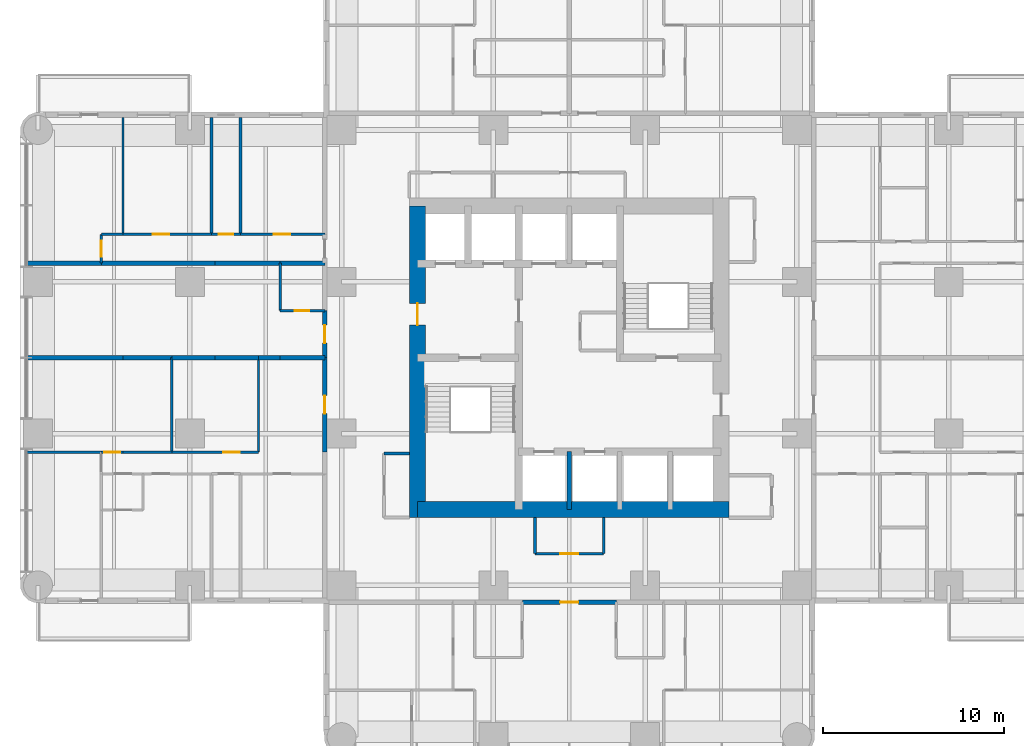
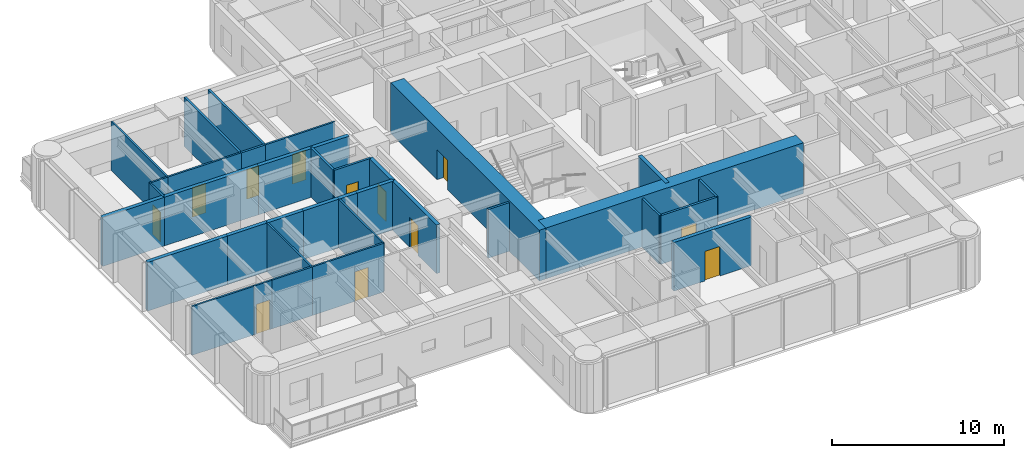
# One storey, part 7 of 15: 36 walls, 12 doors, 12 openings.
"""IFC4 building model written with IfcOpenShell, lengths in metres."""

from ifc_helpers import new_model, si_unit, direction, frame, frame_2d, origin, place, context, subcontext, project, spatial, rectangle, extrude, material, layer, layer_set, type_object, element, fill, save


model = new_model("IFC4")

# Units and contexts
model_context = context("Model", 3, precision=1e-05, world=origin(), true_north=direction((0.0, 1.0)))
body_context = subcontext(model_context, "Body", "Model", "MODEL_VIEW")
ifc_project = project(units=[si_unit("LENGTHUNIT", "METRE"), si_unit("AREAUNIT", "SQUARE_METRE"), si_unit("VOLUMEUNIT", "CUBIC_METRE"), si_unit("PLANEANGLEUNIT", "RADIAN"), si_unit("MASSUNIT", "GRAM", prefix="KILO")], contexts=[model_context])

# Site, building, storey
site_placement = place(None, origin())
site = spatial("IfcSite", under=ifc_project, at=site_placement, CompositionType="ELEMENT")
building_placement = place(site_placement, origin())
building = spatial("IfcBuilding", under=site, at=building_placement, Name="Torre Alcanfor", CompositionType="ELEMENT")
storey_placement = place(building_placement, frame((0.0, 0.0, 123.300048828125)))
storey = spatial("IfcBuildingStorey", under=building, at=storey_placement, Name="L31", CompositionType="ELEMENT", Elevation=123.300048828125)

# Wall, opening, door
ifc_material_1 = material(Name="Concrete block masonry, hollow blocks NMX-C-404 9 MPa", Category="masonry")
ifc_layer_1 = layer(ifc_material_1, 0.25)
ifc_layer_set_1 = layer_set([ifc_layer_1], Name="Apartment entrance wall 250 EI 60")
wall_type_1 = type_object("IfcWallType", Name="Apartment entrance wall 250 EI 60", PredefinedType="PARTITIONING", material=ifc_layer_set_1)
wall_1_placement = place(storey_placement, frame((32.0, 15.875, 0.0), z_axis=(0.0, 0.0, 1.0), x_axis=(-1.0, 0.0, 0.0)))
wall_1 = element("IfcWall", 1, at=wall_1_placement, inside=storey, type_object=wall_type_1, Name="Partition L31-CORR / L31-SX-ZAG", PredefinedType="PARTITIONING", context=body_context, shape_type="SweptSolid", body=[
    extrude(rectangle(XDim=5.199951171875, YDim=0.25, at=frame_2d((2.60009765625, 0.0))), origin(), (0.0, 0.0, 1.0), 3.449951171875),
])
opening_1_placement = place(wall_1_placement, frame((2.10009765625, 0.0, 0.0)))
opening_1 = element("IfcOpeningElement", 2, at=opening_1_placement, cuts=wall_1, Name="Opening D-A1", PredefinedType="OPENING", context=body_context, shape_type="SweptSolid", body=[
    extrude(rectangle(XDim=1.0, YDim=2.10009765625, at=frame_2d((0.5, 1.050048828125))), frame((0.0, 0.135009765625, 0.0), z_axis=(0.0, -1.0, 0.0), x_axis=(1.0, 0.0, 0.0)), (0.0, 0.0, 1.0), 0.27001953125),
])
ifc_material_2 = material(Name="Galvanised steel sheet ASTM A653", Category="steel")
door_type_1 = type_object("IfcDoorType", Name="Apartment entrance door FD60 1000x2100", OperationType="SINGLE_SWING_LEFT", PredefinedType="DOOR", material=ifc_material_2)
door_1_placement = place(opening_1_placement, origin())
door_1 = element("IfcDoor", 3, at=door_1_placement, inside=storey, type_object=door_type_1, Name="Apartment entrance L31-SX", OperationType="SINGLE_SWING_LEFT", OverallHeight=2.10009765625, OverallWidth=1.0, PredefinedType="DOOR", context=body_context, shape_type="SweptSolid", body=[
    extrude(rectangle(XDim=1.0, YDim=2.10009765625, at=frame_2d((0.5, 1.050048828125))), frame((0.0, 0.02490234375, 0.0), z_axis=(0.0, -1.0, 0.0), x_axis=(1.0, 0.0, 0.0)), (0.0, 0.0, 1.0), 0.050048828125),
])
fill(opening_1, door_1)

wall_2_placement = place(storey_placement, frame((15.875, 24.1708984375, 0.0), z_axis=(0.0, 0.0, 1.0), x_axis=(0.0, 1.0, 0.0)))
wall_2 = element("IfcWall", 4, at=wall_2_placement, inside=storey, type_object=wall_type_1, Name="Partition L31-CORR / L31-W1-ZAG", PredefinedType="PARTITIONING", context=body_context, shape_type="SweptSolid", body=[
    extrude(rectangle(XDim=5.22900390625, YDim=0.25, at=frame_2d((2.614501953125, 0.0))), origin(), (0.0, 0.0, 1.0), 3.449951171875),
])
opening_2_placement = place(wall_2_placement, frame((2.12890625, 0.0, 0.0)))
opening_2 = element("IfcOpeningElement", 5, at=opening_2_placement, cuts=wall_2, Name="Opening D-A1", PredefinedType="OPENING", context=body_context, shape_type="SweptSolid", body=[
    extrude(rectangle(XDim=1.0, YDim=2.10009765625, at=frame_2d((0.5, 1.050048828125))), frame((0.0, 0.135009765625, 0.0), z_axis=(0.0, -1.0, 0.0), x_axis=(1.0, 0.0, 0.0)), (0.0, 0.0, 1.0), 0.27001953125),
])
door_2_placement = place(opening_2_placement, origin())
door_2 = element("IfcDoor", 6, at=door_2_placement, inside=storey, type_object=door_type_1, Name="Apartment entrance L31-W1", OperationType="SINGLE_SWING_RIGHT", OverallHeight=2.10009765625, OverallWidth=1.0, PredefinedType="DOOR", context=body_context, shape_type="SweptSolid", body=[
    extrude(rectangle(XDim=1.0, YDim=2.10009765625, at=frame_2d((0.5, 1.050048828125))), frame((0.0, 0.02490234375, 0.0), z_axis=(0.0, -1.0, 0.0), x_axis=(1.0, 0.0, 0.0)), (0.0, 0.0, 1.0), 0.050048828125),
])
fill(opening_2, door_2)

wall_3_placement = place(storey_placement, frame((15.875, 29.39990234375, 0.0), z_axis=(0.0, 0.0, 1.0), x_axis=(0.0, 1.0, 0.0)))
wall_3 = element("IfcWall", 7, at=wall_3_placement, inside=storey, type_object=wall_type_1, Name="Partition L31-CORR / L31-W2A-FOYER", PredefinedType="PARTITIONING", context=body_context, shape_type="SweptSolid", body=[
    extrude(rectangle(XDim=2.60009765625, YDim=0.25, at=frame_2d((1.300048828125, 0.0))), origin(), (0.0, 0.0, 1.0), 3.449951171875),
])
opening_3_placement = place(wall_3_placement, frame((0.800048828125, 0.0, 0.0)))
opening_3 = element("IfcOpeningElement", 8, at=opening_3_placement, cuts=wall_3, Name="Opening D-A1", PredefinedType="OPENING", context=body_context, shape_type="SweptSolid", body=[
    extrude(rectangle(XDim=1.0, YDim=2.10009765625, at=frame_2d((0.5, 1.050048828125))), frame((0.0, 0.135009765625, 0.0), z_axis=(0.0, -1.0, 0.0), x_axis=(1.0, 0.0, 0.0)), (0.0, 0.0, 1.0), 0.27001953125),
])
door_3_placement = place(opening_3_placement, origin())
door_3 = element("IfcDoor", 9, at=door_3_placement, inside=storey, type_object=door_type_1, Name="Apartment entrance L31-W2A", OperationType="SINGLE_SWING_LEFT", OverallHeight=2.10009765625, OverallWidth=1.0, PredefinedType="DOOR", context=body_context, shape_type="SweptSolid", body=[
    extrude(rectangle(XDim=1.0, YDim=2.10009765625, at=frame_2d((0.5, 1.050048828125))), frame((0.0, 0.02490234375, 0.0), z_axis=(0.0, -1.0, 0.0), x_axis=(1.0, 0.0, 0.0)), (0.0, 0.0, 1.0), 0.050048828125),
])
fill(opening_3, door_3)

# Walls
ifc_material_3 = material(Name="Gypsum board on steel studs", Category="steel")
ifc_layer_2 = layer(ifc_material_3, 0.1201171875)
ifc_layer_set_2 = layer_set([ifc_layer_2], Name="Apartment partition 120")
wall_type_2 = type_object("IfcWallType", Name="Apartment partition 120", PredefinedType="PARTITIONING", material=ifc_layer_set_2)
for number, where, z_axis, x_axis, name in (
    (10, (12.199951171875, 29.39990234375, 0.0), (0.0, 0.0, 1.0), (0.0, -1.0, 0.0), "Partition L31-W1-ZAG / L31-W1-FAMILY"),
    (11, (7.39990234375, 29.39990234375, 0.0), (0.0, 0.0, 1.0), (0.0, -1.0, 0.0), "Partition L31-W1-FAMILY / L31-W1-KITCHEN"),
):
    element("IfcWall", number, at=place(storey_placement, frame(where, z_axis=z_axis, x_axis=x_axis)), inside=storey, type_object=wall_type_2, Name=name, PredefinedType="PARTITIONING", context=body_context, shape_type="SweptSolid", body=[
        extrude(rectangle(XDim=5.22900390625, YDim=0.1201171875, at=frame_2d((2.614501953125, 0.0))), origin(), (0.0, 0.0, 1.0), 3.449951171875),
    ])

# Wall, opening, door
wall_4_placement = place(storey_placement, frame((7.39990234375, 24.1708984375, 0.0), z_axis=(0.0, 0.0, 1.0), x_axis=(1.0, 0.0, 0.0)))
wall_4 = element("IfcWall", 12, at=wall_4_placement, inside=storey, type_object=wall_type_2, Name="Partition L31-W1-FAMILY / L31-W1-HALL", PredefinedType="PARTITIONING", context=body_context, shape_type="SweptSolid", body=[
    extrude(rectangle(XDim=4.800048828125, YDim=0.1201171875, at=frame_2d((2.39990234375, 0.0))), origin(), (0.0, 0.0, 1.0), 3.449951171875),
])
opening_4_placement = place(wall_4_placement, frame((2.85009765625, 0.0, 0.0)))
opening_4 = element("IfcOpeningElement", 13, at=opening_4_placement, cuts=wall_4, Name="Opening D-R1", PredefinedType="OPENING", context=body_context, shape_type="SweptSolid", body=[
    extrude(rectangle(XDim=0.89990234375, YDim=2.10009765625, at=frame_2d((0.449951171875, 1.050048828125))), frame((0.0, 0.070068359375, 0.0), z_axis=(0.0, -1.0, 0.0), x_axis=(1.0, 0.0, 0.0)), (0.0, 0.0, 1.0), 0.14013671875),
])
ifc_material_4 = material(Name="Timber", Category="wood")
door_type_2 = type_object("IfcDoorType", Name="Internal door 900x2100", OperationType="SINGLE_SWING_LEFT", PredefinedType="DOOR", material=ifc_material_4)
door_4_placement = place(opening_4_placement, origin())
door_4 = element("IfcDoor", 14, at=door_4_placement, inside=storey, type_object=door_type_2, Name="Door L31-W1 family", OperationType="SINGLE_SWING_RIGHT", OverallHeight=2.10009765625, OverallWidth=0.89990234375, PredefinedType="DOOR", context=body_context, shape_type="SweptSolid", body=[
    extrude(rectangle(XDim=0.89990234375, YDim=2.10009765625, at=frame_2d((0.449951171875, 1.050048828125))), frame((0.0, 0.02490234375, 0.0), z_axis=(0.0, -1.0, 0.0), x_axis=(1.0, 0.0, 0.0)), (0.0, 0.0, 1.0), 0.050048828125),
])
fill(opening_4, door_4)

# Wall
wall_5_placement = place(storey_placement, frame((4.699951171875, 24.1708984375, 0.0), z_axis=(0.0, 0.0, 1.0), x_axis=(1.0, 0.0, 0.0)))
element("IfcWall", 15, at=wall_5_placement, inside=storey, type_object=wall_type_2, Name="Partition L31-W1-KITCHEN / L31-W1-HALL", PredefinedType="PARTITIONING", context=body_context, shape_type="SweptSolid", body=[
    extrude(rectangle(XDim=2.699951171875, YDim=0.1201171875, at=frame_2d((1.35009765625, 0.0))), origin(), (0.0, 0.0, 1.0), 3.449951171875),
])

# Wall, opening, door
wall_6_placement = place(storey_placement, frame((3.5, 24.1708984375, 0.0), z_axis=(0.0, 0.0, 1.0), x_axis=(1.0, 0.0, 0.0)))
wall_6 = element("IfcWall", 16, at=wall_6_placement, inside=storey, type_object=wall_type_2, Name="Partition L31-W1-LIVING / L31-W1-HALL", PredefinedType="PARTITIONING", context=body_context, shape_type="SweptSolid", body=[
    extrude(rectangle(XDim=1.199951171875, YDim=0.1201171875, at=frame_2d((0.60009765625, 0.0))), origin(), (0.0, 0.0, 1.0), 3.449951171875),
])
opening_5_placement = place(wall_6_placement, frame((0.14990234375, 0.0, 0.0)))
opening_5 = element("IfcOpeningElement", 17, at=opening_5_placement, cuts=wall_6, Name="Opening D-R1", PredefinedType="OPENING", context=body_context, shape_type="SweptSolid", body=[
    extrude(rectangle(XDim=0.89990234375, YDim=2.10009765625, at=frame_2d((0.449951171875, 1.050048828125))), frame((0.0, 0.070068359375, 0.0), z_axis=(0.0, -1.0, 0.0), x_axis=(1.0, 0.0, 0.0)), (0.0, 0.0, 1.0), 0.14013671875),
])
door_5_placement = place(opening_5_placement, origin())
door_5 = element("IfcDoor", 18, at=door_5_placement, inside=storey, type_object=door_type_2, Name="Door L31-W1 living", OperationType="SINGLE_SWING_RIGHT", OverallHeight=2.10009765625, OverallWidth=0.89990234375, PredefinedType="DOOR", context=body_context, shape_type="SweptSolid", body=[
    extrude(rectangle(XDim=0.89990234375, YDim=2.10009765625, at=frame_2d((0.449951171875, 1.050048828125))), frame((0.0, 0.02490234375, 0.0), z_axis=(0.0, -1.0, 0.0), x_axis=(1.0, 0.0, 0.0)), (0.0, 0.0, 1.0), 0.050048828125),
])
fill(opening_5, door_5)

# Wall
wall_7_placement = place(storey_placement, frame((-0.64990234375, 24.1708984375, 0.0), z_axis=(0.0, 0.0, 1.0), x_axis=(1.0, 0.0, 0.0)))
element("IfcWall", 19, at=wall_7_placement, inside=storey, type_object=wall_type_2, Name="Partition L31-W1-LIVING / L31-W1-WGARD", PredefinedType="PARTITIONING", context=body_context, shape_type="SweptSolid", body=[
    extrude(rectangle(XDim=4.14990234375, YDim=0.1201171875, at=frame_2d((2.074951171875, 0.0))), origin(), (0.0, 0.0, 1.0), 3.449951171875),
])

# Wall, opening, door
wall_8_placement = place(storey_placement, frame((11.199951171875, 36.22900390625, 0.0), z_axis=(0.0, 0.0, 1.0), x_axis=(1.0, 0.0, 0.0)))
wall_8 = element("IfcWall", 20, at=wall_8_placement, inside=storey, type_object=wall_type_2, Name="Partition L31-W2B-HALL / L31-W2B-BED2", PredefinedType="PARTITIONING", context=body_context, shape_type="SweptSolid", body=[
    extrude(rectangle(XDim=4.675048828125, YDim=0.1201171875, at=frame_2d((2.33740234375, 0.0))), origin(), (0.0, 0.0, 1.0), 3.449951171875),
])
opening_6_placement = place(wall_8_placement, frame((1.85009765625, 0.0, 0.0)))
opening_6 = element("IfcOpeningElement", 21, at=opening_6_placement, cuts=wall_8, Name="Opening D-R1", PredefinedType="OPENING", context=body_context, shape_type="SweptSolid", body=[
    extrude(rectangle(XDim=0.89990234375, YDim=2.10009765625, at=frame_2d((0.449951171875, 1.050048828125))), frame((0.0, 0.070068359375, 0.0), z_axis=(0.0, -1.0, 0.0), x_axis=(1.0, 0.0, 0.0)), (0.0, 0.0, 1.0), 0.14013671875),
])
door_6_placement = place(opening_6_placement, origin())
door_6 = element("IfcDoor", 22, at=door_6_placement, inside=storey, type_object=door_type_2, Name="Door L31-W2B bed2", OperationType="SINGLE_SWING_LEFT", OverallHeight=2.10009765625, OverallWidth=0.89990234375, PredefinedType="DOOR", context=body_context, shape_type="SweptSolid", body=[
    extrude(rectangle(XDim=0.89990234375, YDim=2.10009765625, at=frame_2d((0.449951171875, 1.050048828125))), frame((0.0, 0.02490234375, 0.0), z_axis=(0.0, -1.0, 0.0), x_axis=(1.0, 0.0, 0.0)), (0.0, 0.0, 1.0), 0.050048828125),
])
fill(opening_6, door_6)

wall_9_placement = place(storey_placement, frame((4.699951171875, 36.22900390625, 0.0), z_axis=(0.0, 0.0, 1.0), x_axis=(1.0, 0.0, 0.0)))
wall_9 = element("IfcWall", 23, at=wall_9_placement, inside=storey, type_object=wall_type_2, Name="Partition L31-W2B-HALL / L31-W2B-MASTER", PredefinedType="PARTITIONING", context=body_context, shape_type="SweptSolid", body=[
    extrude(rectangle(XDim=4.900146484375, YDim=0.1201171875, at=frame_2d((2.4501953125, 0.0))), origin(), (0.0, 0.0, 1.0), 3.449951171875),
])
opening_7_placement = place(wall_9_placement, frame((1.64990234375, 0.0, 0.0)))
opening_7 = element("IfcOpeningElement", 24, at=opening_7_placement, cuts=wall_9, Name="Opening D-R1", PredefinedType="OPENING", context=body_context, shape_type="SweptSolid", body=[
    extrude(rectangle(XDim=0.89990234375, YDim=2.10009765625, at=frame_2d((0.449951171875, 1.050048828125))), frame((0.0, 0.070068359375, 0.0), z_axis=(0.0, -1.0, 0.0), x_axis=(1.0, 0.0, 0.0)), (0.0, 0.0, 1.0), 0.14013671875),
])
door_7_placement = place(opening_7_placement, origin())
door_7 = element("IfcDoor", 25, at=door_7_placement, inside=storey, type_object=door_type_2, Name="Door L31-W2B master", OperationType="SINGLE_SWING_LEFT", OverallHeight=2.10009765625, OverallWidth=0.89990234375, PredefinedType="DOOR", context=body_context, shape_type="SweptSolid", body=[
    extrude(rectangle(XDim=0.89990234375, YDim=2.10009765625, at=frame_2d((0.449951171875, 1.050048828125))), frame((0.0, 0.02490234375, 0.0), z_axis=(0.0, -1.0, 0.0), x_axis=(1.0, 0.0, 0.0)), (0.0, 0.0, 1.0), 0.050048828125),
])
fill(opening_7, door_7)

# Wall
wall_10_placement = place(storey_placement, frame((3.5, 36.22900390625, 0.0), z_axis=(0.0, 0.0, 1.0), x_axis=(1.0, 0.0, 0.0)))
element("IfcWall", 26, at=wall_10_placement, inside=storey, type_object=wall_type_2, Name="Partition L31-W2B-HALL / L31-W2B-KITCHEN", PredefinedType="PARTITIONING", context=body_context, shape_type="SweptSolid", body=[
    extrude(rectangle(XDim=1.199951171875, YDim=0.1201171875, at=frame_2d((0.60009765625, 0.0))), origin(), (0.0, 0.0, 1.0), 3.449951171875),
])

# Wall, opening, door
wall_11_placement = place(storey_placement, frame((3.5, 34.62890625, 0.0), z_axis=(0.0, 0.0, 1.0), x_axis=(0.0, 1.0, 0.0)))
wall_11 = element("IfcWall", 27, at=wall_11_placement, inside=storey, type_object=wall_type_2, Name="Partition L31-W2B-HALL / L31-W2B-LIVING", PredefinedType="PARTITIONING", context=body_context, shape_type="SweptSolid", body=[
    extrude(rectangle(XDim=1.60009765625, YDim=0.1201171875, at=frame_2d((0.800048828125, 0.0))), origin(), (0.0, 0.0, 1.0), 3.449951171875),
])
opening_8_placement = place(wall_11_placement, frame((0.35009765625, 0.0, 0.0)))
opening_8 = element("IfcOpeningElement", 28, at=opening_8_placement, cuts=wall_11, Name="Opening D-R1", PredefinedType="OPENING", context=body_context, shape_type="SweptSolid", body=[
    extrude(rectangle(XDim=0.89990234375, YDim=2.10009765625, at=frame_2d((0.449951171875, 1.050048828125))), frame((0.0, 0.070068359375, 0.0), z_axis=(0.0, -1.0, 0.0), x_axis=(1.0, 0.0, 0.0)), (0.0, 0.0, 1.0), 0.14013671875),
])
door_8_placement = place(opening_8_placement, origin())
door_8 = element("IfcDoor", 29, at=door_8_placement, inside=storey, type_object=door_type_2, Name="Door L31-W2B living", OperationType="SINGLE_SWING_LEFT", OverallHeight=2.10009765625, OverallWidth=0.89990234375, PredefinedType="DOOR", context=body_context, shape_type="SweptSolid", body=[
    extrude(rectangle(XDim=0.89990234375, YDim=2.10009765625, at=frame_2d((0.449951171875, 1.050048828125))), frame((0.0, 0.02490234375, 0.0), z_axis=(0.0, -1.0, 0.0), x_axis=(1.0, 0.0, 0.0)), (0.0, 0.0, 1.0), 0.050048828125),
])
fill(opening_8, door_8)

# Walls
wall_12_placement = place(storey_placement, frame((4.699951171875, 36.22900390625, 0.0), z_axis=(0.0, 0.0, 1.0), x_axis=(0.0, 1.0, 0.0)))
element("IfcWall", 30, at=wall_12_placement, inside=storey, type_object=wall_type_2, Name="Partition L31-W2B-MASTER / L31-W2B-KITCHEN", PredefinedType="PARTITIONING", context=body_context, shape_type="SweptSolid", body=[
    extrude(rectangle(XDim=6.470947265625, YDim=0.1201171875, at=frame_2d((3.2353515625, 0.0))), origin(), (0.0, 0.0, 1.0), 3.449951171875),
])
ifc_material_5 = material(Name="Concrete f'c 70 MPa", Category="concrete")
ifc_layer_3 = layer(ifc_material_5, 0.25)
ifc_layer_set_3 = layer_set([ifc_layer_3], Name="Core shaft wall 250 f'c70")
wall_type_3 = type_object("IfcWallType", Name="Core shaft wall 250 f'c70", PredefinedType="SHEAR", material=ifc_layer_set_3)
wall_13_placement = place(storey_placement, frame((29.39990234375, 21.0, 0.0), z_axis=(0.0, 0.0, 1.0), x_axis=(0.0, 1.0, 0.0)))
element("IfcWall", 31, at=wall_13_placement, inside=storey, type_object=wall_type_3, Name="Core wall X294S L31", PredefinedType="SHEAR", context=body_context, shape_type="SweptSolid", body=[
    extrude(rectangle(XDim=3.199951171875, YDim=0.25, at=frame_2d((1.60009765625, 0.0))), origin(), (0.0, 0.0, 1.0), 3.599853515625),
])
ifc_material_6 = material(Name="Concrete f'c 70 MPa", Category="concrete")
ifc_layer_4 = layer(ifc_material_6, 0.89990234375)
ifc_layer_set_4 = layer_set([ifc_layer_4], Name="Core wall 900 f'c70")
wall_type_4 = type_object("IfcWallType", Name="Core wall 900 f'c70", PredefinedType="SHEAR", material=ifc_layer_set_4)
wall_14_placement = place(storey_placement, frame((21.0, 21.0, 0.0), z_axis=(0.0, 0.0, 1.0), x_axis=(1.0, 0.0, 0.0)))
element("IfcWall", 32, at=wall_14_placement, inside=storey, type_object=wall_type_4, Name="Core wall OUT-S L31", PredefinedType="SHEAR", context=body_context, shape_type="SweptSolid", body=[
    extrude(rectangle(XDim=17.25, YDim=0.89990234375, at=frame_2d((8.625, 0.0))), origin(), (0.0, 0.0, 1.0), 3.599853515625),
])

# Wall, opening, door
wall_15_placement = place(storey_placement, frame((21.0, 37.800048828125, 0.0), z_axis=(0.0, 0.0, 1.0), x_axis=(0.0, -1.0, 0.0)))
wall_15 = element("IfcWall", 33, at=wall_15_placement, inside=storey, type_object=wall_type_4, Name="Core wall OUT-W L31", PredefinedType="SHEAR", context=body_context, shape_type="SweptSolid", body=[
    extrude(rectangle(XDim=17.25, YDim=0.89990234375, at=frame_2d((8.625, 0.0))), origin(), (0.0, 0.0, 1.0), 3.599853515625),
])
opening_9_placement = place(wall_15_placement, frame((5.39990234375, 0.0, 0.0)))
opening_9 = element("IfcOpeningElement", 34, at=opening_9_placement, cuts=wall_15, Name="Opening D-L1", PredefinedType="OPENING", context=body_context, shape_type="SweptSolid", body=[
    extrude(rectangle(XDim=1.199951171875, YDim=2.10009765625, at=frame_2d((0.60009765625, 1.050048828125))), frame((0.0, 0.4599609375, 0.0), z_axis=(0.0, -1.0, 0.0), x_axis=(1.0, 0.0, 0.0)), (0.0, 0.0, 1.0), 0.919921875),
])
ifc_material_7 = material(Name="Galvanised steel sheet ASTM A653", Category="steel")
door_type_3 = type_object("IfcDoorType", Name="Lobby door FD120 1200x2100", OperationType="SINGLE_SWING_LEFT", PredefinedType="DOOR", material=ifc_material_7)
door_9_placement = place(opening_9_placement, origin())
door_9 = element("IfcDoor", 35, at=door_9_placement, inside=storey, type_object=door_type_3, Name="Firefighting lobby door L31", OperationType="SINGLE_SWING_LEFT", OverallHeight=2.10009765625, OverallWidth=1.199951171875, PredefinedType="DOOR", context=body_context, shape_type="SweptSolid", body=[
    extrude(rectangle(XDim=1.199951171875, YDim=2.10009765625, at=frame_2d((0.60009765625, 1.050048828125))), frame((0.0, 0.02490234375, 0.0), z_axis=(0.0, -1.0, 0.0), x_axis=(1.0, 0.0, 0.0)), (0.0, 0.0, 1.0), 0.050048828125),
])
fill(opening_9, door_9)

# Walls
ifc_material_8 = material(Name="Concrete block masonry, hollow blocks NMX-C-404 9 MPa", Category="masonry")
ifc_layer_5 = layer(ifc_material_8, 0.25)
ifc_layer_set_5 = layer_set([ifc_layer_5], Name="Party wall 250 EI 60")
wall_type_5 = type_object("IfcWallType", Name="Party wall 250 EI 60", PredefinedType="PARTITIONING", material=ifc_layer_set_5)
wall_16_placement = place(storey_placement, frame((15.875, 29.39990234375, 0.0), z_axis=(0.0, 0.0, 1.0), x_axis=(-1.0, 0.0, 0.0)))
element("IfcWall", 36, at=wall_16_placement, inside=storey, type_object=wall_type_5, Name="Partition L31-W1-ZAG / L31-W2A-FOYER", PredefinedType="PARTITIONING", context=body_context, shape_type="SweptSolid", body=[
    extrude(rectangle(XDim=2.47509765625, YDim=0.25, at=frame_2d((1.237548828125, 0.0))), origin(), (0.0, 0.0, 1.0), 3.449951171875),
])
wall_17_placement = place(storey_placement, frame((13.39990234375, 29.39990234375, 0.0), z_axis=(0.0, 0.0, 1.0), x_axis=(-1.0, 0.0, 0.0)))
element("IfcWall", 37, at=wall_17_placement, inside=storey, type_object=wall_type_5, Name="Partition L31-W1-ZAG / L31-W2A-KITCHEN", PredefinedType="PARTITIONING", context=body_context, shape_type="SweptSolid", body=[
    extrude(rectangle(XDim=1.199951171875, YDim=0.25, at=frame_2d((0.60009765625, 0.0))), origin(), (0.0, 0.0, 1.0), 3.449951171875),
])
wall_18_placement = place(storey_placement, frame((12.199951171875, 29.39990234375, 0.0), z_axis=(0.0, 0.0, 1.0), x_axis=(-1.0, 0.0, 0.0)))
element("IfcWall", 38, at=wall_18_placement, inside=storey, type_object=wall_type_5, Name="Partition L31-W1-FAMILY / L31-W2A-KITCHEN", PredefinedType="PARTITIONING", context=body_context, shape_type="SweptSolid", body=[
    extrude(rectangle(XDim=2.39990234375, YDim=0.25, at=frame_2d((1.199951171875, 0.0))), origin(), (0.0, 0.0, 1.0), 3.449951171875),
])
wall_19_placement = place(storey_placement, frame((9.800048828125, 29.39990234375, 0.0), z_axis=(0.0, 0.0, 1.0), x_axis=(-1.0, 0.0, 0.0)))
element("IfcWall", 39, at=wall_19_placement, inside=storey, type_object=wall_type_5, Name="Partition L31-W1-FAMILY / L31-W2A-STUDIO", PredefinedType="PARTITIONING", context=body_context, shape_type="SweptSolid", body=[
    extrude(rectangle(XDim=2.400146484375, YDim=0.25, at=frame_2d((1.2001953125, 0.0))), origin(), (0.0, 0.0, 1.0), 3.449951171875),
])
wall_20_placement = place(storey_placement, frame((7.39990234375, 29.39990234375, 0.0), z_axis=(0.0, 0.0, 1.0), x_axis=(-1.0, 0.0, 0.0)))
element("IfcWall", 40, at=wall_20_placement, inside=storey, type_object=wall_type_5, Name="Partition L31-W1-KITCHEN / L31-W2A-STUDIO", PredefinedType="PARTITIONING", context=body_context, shape_type="SweptSolid", body=[
    extrude(rectangle(XDim=2.699951171875, YDim=0.25, at=frame_2d((1.35009765625, 0.0))), origin(), (0.0, 0.0, 1.0), 3.449951171875),
])
wall_21_placement = place(storey_placement, frame((4.699951171875, 29.39990234375, 0.0), z_axis=(0.0, 0.0, 1.0), x_axis=(-1.0, 0.0, 0.0)))
element("IfcWall", 41, at=wall_21_placement, inside=storey, type_object=wall_type_5, Name="Partition L31-W1-LIVING / L31-W2A-STUDIO", PredefinedType="PARTITIONING", context=body_context, shape_type="SweptSolid", body=[
    extrude(rectangle(XDim=5.349853515625, YDim=0.25, at=frame_2d((2.6748046875, 0.0))), origin(), (0.0, 0.0, 1.0), 3.449951171875),
])
wall_22_placement = place(storey_placement, frame((13.39990234375, 34.62890625, 0.0), z_axis=(0.0, 0.0, 1.0), x_axis=(1.0, 0.0, 0.0)))
element("IfcWall", 42, at=wall_22_placement, inside=storey, type_object=wall_type_5, Name="Partition L31-W2A-BATH / L31-W2B-HALL", PredefinedType="PARTITIONING", context=body_context, shape_type="SweptSolid", body=[
    extrude(rectangle(XDim=2.47509765625, YDim=0.25, at=frame_2d((1.237548828125, 0.0))), origin(), (0.0, 0.0, 1.0), 3.449951171875),
])
wall_23_placement = place(storey_placement, frame((9.800048828125, 34.62890625, 0.0), z_axis=(0.0, 0.0, 1.0), x_axis=(1.0, 0.0, 0.0)))
element("IfcWall", 43, at=wall_23_placement, inside=storey, type_object=wall_type_5, Name="Partition L31-W2A-KITCHEN / L31-W2B-HALL", PredefinedType="PARTITIONING", context=body_context, shape_type="SweptSolid", body=[
    extrude(rectangle(XDim=3.599853515625, YDim=0.25, at=frame_2d((1.7998046875, 0.0))), origin(), (0.0, 0.0, 1.0), 3.449951171875),
])
wall_24_placement = place(storey_placement, frame((3.5, 34.62890625, 0.0), z_axis=(0.0, 0.0, 1.0), x_axis=(1.0, 0.0, 0.0)))
element("IfcWall", 44, at=wall_24_placement, inside=storey, type_object=wall_type_5, Name="Partition L31-W2A-STUDIO / L31-W2B-HALL", PredefinedType="PARTITIONING", context=body_context, shape_type="SweptSolid", body=[
    extrude(rectangle(XDim=6.300048828125, YDim=0.25, at=frame_2d((3.14990234375, 0.0))), origin(), (0.0, 0.0, 1.0), 3.449951171875),
])
wall_25_placement = place(storey_placement, frame((-0.64990234375, 34.62890625, 0.0), z_axis=(0.0, 0.0, 1.0), x_axis=(1.0, 0.0, 0.0)))
element("IfcWall", 45, at=wall_25_placement, inside=storey, type_object=wall_type_5, Name="Partition L31-W2A-STUDIO / L31-W2B-LIVING", PredefinedType="PARTITIONING", context=body_context, shape_type="SweptSolid", body=[
    extrude(rectangle(XDim=4.14990234375, YDim=0.25, at=frame_2d((2.074951171875, 0.0))), origin(), (0.0, 0.0, 1.0), 3.449951171875),
])
ifc_material_9 = material(Name="Concrete block masonry, hollow blocks NMX-C-404 9 MPa", Category="masonry")
ifc_layer_6 = layer(ifc_material_9, 0.14990234375)
ifc_layer_set_6 = layer_set([ifc_layer_6], Name="Residents' room partition 150")
wall_type_6 = type_object("IfcWallType", Name="Residents' room partition 150", PredefinedType="PARTITIONING", material=ifc_layer_set_6)
wall_26_placement = place(storey_placement, frame((27.5, 20.550048828125, 0.0), z_axis=(0.0, 0.0, 1.0), x_axis=(0.0, -1.0, 0.0)))
element("IfcWall", 46, at=wall_26_placement, inside=storey, type_object=wall_type_6, Name="Partition L31-CORR / L31-G05", PredefinedType="PARTITIONING", context=body_context, shape_type="SweptSolid", body=[
    extrude(rectangle(XDim=2.0, YDim=0.14990234375, at=frame_2d((1.0, 0.0))), origin(), (0.0, 0.0, 1.0), 3.449951171875),
])

# Wall, opening, door
wall_27_placement = place(storey_placement, frame((27.5, 18.550048828125, 0.0), z_axis=(0.0, 0.0, 1.0), x_axis=(1.0, 0.0, 0.0)))
wall_27 = element("IfcWall", 47, at=wall_27_placement, inside=storey, type_object=wall_type_6, Name="Partition L31-CORR / L31-G05", PredefinedType="PARTITIONING", context=body_context, shape_type="SweptSolid", body=[
    extrude(rectangle(XDim=3.800048828125, YDim=0.14990234375, at=frame_2d((1.89990234375, 0.0))), origin(), (0.0, 0.0, 1.0), 3.449951171875),
])
opening_10_placement = place(wall_27_placement, frame((1.39990234375, 0.0, 0.0)))
opening_10 = element("IfcOpeningElement", 48, at=opening_10_placement, cuts=wall_27, Name="Opening D-M1", PredefinedType="OPENING", context=body_context, shape_type="SweptSolid", body=[
    extrude(rectangle(XDim=1.0, YDim=2.10009765625, at=frame_2d((0.5, 1.050048828125))), frame((0.0, 0.0849609375, 0.0), z_axis=(0.0, -1.0, 0.0), x_axis=(1.0, 0.0, 0.0)), (0.0, 0.0, 1.0), 0.169921875),
])
ifc_material_10 = material(Name="Timber", Category="wood")
door_type_4 = type_object("IfcDoorType", Name="Residents' room door 1000x2100", OperationType="SINGLE_SWING_LEFT", PredefinedType="DOOR", material=ifc_material_10)
door_10_placement = place(opening_10_placement, origin())
door_10 = element("IfcDoor", 49, at=door_10_placement, inside=storey, type_object=door_type_4, Name="Door L31-G05 bicycle store", OperationType="SINGLE_SWING_LEFT", OverallHeight=2.10009765625, OverallWidth=1.0, PredefinedType="DOOR", context=body_context, shape_type="SweptSolid", body=[
    extrude(rectangle(XDim=1.0, YDim=2.10009765625, at=frame_2d((0.5, 1.050048828125))), frame((0.0, 0.02490234375, 0.0), z_axis=(0.0, -1.0, 0.0), x_axis=(1.0, 0.0, 0.0)), (0.0, 0.0, 1.0), 0.050048828125),
])
fill(opening_10, door_10)

# Walls
wall_28_placement = place(storey_placement, frame((31.300048828125, 18.550048828125, 0.0), z_axis=(0.0, 0.0, 1.0), x_axis=(0.0, 1.0, 0.0)))
element("IfcWall", 50, at=wall_28_placement, inside=storey, type_object=wall_type_6, Name="Partition L31-CORR / L31-G05", PredefinedType="PARTITIONING", context=body_context, shape_type="SweptSolid", body=[
    extrude(rectangle(XDim=2.0, YDim=0.14990234375, at=frame_2d((1.0, 0.0))), origin(), (0.0, 0.0, 1.0), 3.449951171875),
])
wall_29_placement = place(storey_placement, frame((20.550048828125, 24.10009765625, 0.0), z_axis=(0.0, 0.0, 1.0), x_axis=(-1.0, 0.0, 0.0)))
element("IfcWall", 51, at=wall_29_placement, inside=storey, type_object=wall_type_6, Name="Partition L31-CORR / L31-G06", PredefinedType="PARTITIONING", context=body_context, shape_type="SweptSolid", body=[
    extrude(rectangle(XDim=1.400146484375, YDim=0.14990234375, at=frame_2d((0.7001953125, 0.0))), origin(), (0.0, 0.0, 1.0), 3.449951171875),
])

# Wall, opening, door
ifc_material_11 = material(Name="Cement board on steel studs", Category="steel")
ifc_layer_7 = layer(ifc_material_11, 0.14990234375)
ifc_layer_set_7 = layer_set([ifc_layer_7], Name="Wet area partition 150")
wall_type_7 = type_object("IfcWallType", Name="Wet area partition 150", PredefinedType="PARTITIONING", material=ifc_layer_set_7)
wall_30_placement = place(storey_placement, frame((13.39990234375, 32.0, 0.0), z_axis=(0.0, 0.0, 1.0), x_axis=(1.0, 0.0, 0.0)))
wall_30 = element("IfcWall", 52, at=wall_30_placement, inside=storey, type_object=wall_type_7, Name="Partition L31-W2A-FOYER / L31-W2A-BATH", PredefinedType="PARTITIONING", context=body_context, shape_type="SweptSolid", body=[
    extrude(rectangle(XDim=2.47509765625, YDim=0.14990234375, at=frame_2d((1.237548828125, 0.0))), origin(), (0.0, 0.0, 1.0), 3.449951171875),
])
opening_11_placement = place(wall_30_placement, frame((0.800048828125, 0.0, 0.0)))
opening_11 = element("IfcOpeningElement", 53, at=opening_11_placement, cuts=wall_30, Name="Opening D-R2", PredefinedType="OPENING", context=body_context, shape_type="SweptSolid", body=[
    extrude(rectangle(XDim=0.800048828125, YDim=2.10009765625, at=frame_2d((0.39990234375, 1.050048828125))), frame((0.0, 0.0849609375, 0.0), z_axis=(0.0, -1.0, 0.0), x_axis=(1.0, 0.0, 0.0)), (0.0, 0.0, 1.0), 0.169921875),
])
ifc_material_12 = material(Name="Timber", Category="wood")
door_type_5 = type_object("IfcDoorType", Name="Bathroom door 800x2100", OperationType="SINGLE_SWING_LEFT", PredefinedType="DOOR", material=ifc_material_12)
door_11_placement = place(opening_11_placement, origin())
door_11 = element("IfcDoor", 54, at=door_11_placement, inside=storey, type_object=door_type_5, Name="Door L31-W2A bath", OperationType="SINGLE_SWING_LEFT", OverallHeight=2.10009765625, OverallWidth=0.800048828125, PredefinedType="DOOR", context=body_context, shape_type="SweptSolid", body=[
    extrude(rectangle(XDim=0.800048828125, YDim=2.10009765625, at=frame_2d((0.39990234375, 1.050048828125))), frame((0.0, 0.02490234375, 0.0), z_axis=(0.0, -1.0, 0.0), x_axis=(1.0, 0.0, 0.0)), (0.0, 0.0, 1.0), 0.050048828125),
])
fill(opening_11, door_11)

# Wall
wall_31_placement = place(storey_placement, frame((13.39990234375, 32.0, 0.0), z_axis=(0.0, 0.0, 1.0), x_axis=(0.0, 1.0, 0.0)))
element("IfcWall", 55, at=wall_31_placement, inside=storey, type_object=wall_type_7, Name="Partition L31-W2A-BATH / L31-W2A-KITCHEN", PredefinedType="PARTITIONING", context=body_context, shape_type="SweptSolid", body=[
    extrude(rectangle(XDim=2.62890625, YDim=0.14990234375, at=frame_2d((1.314453125, 0.0))), origin(), (0.0, 0.0, 1.0), 3.449951171875),
])

# Wall, opening, door
wall_32_placement = place(storey_placement, frame((9.60009765625, 36.22900390625, 0.0), z_axis=(0.0, 0.0, 1.0), x_axis=(1.0, 0.0, 0.0)))
wall_32 = element("IfcWall", 56, at=wall_32_placement, inside=storey, type_object=wall_type_7, Name="Partition L31-W2B-HALL / L31-W2B-BATH", PredefinedType="PARTITIONING", context=body_context, shape_type="SweptSolid", body=[
    extrude(rectangle(XDim=1.599853515625, YDim=0.14990234375, at=frame_2d((0.7998046875, 0.0))), origin(), (0.0, 0.0, 1.0), 3.449951171875),
])
opening_12_placement = place(wall_32_placement, frame((0.39990234375, 0.0, 0.0)))
opening_12 = element("IfcOpeningElement", 57, at=opening_12_placement, cuts=wall_32, Name="Opening D-R2", PredefinedType="OPENING", context=body_context, shape_type="SweptSolid", body=[
    extrude(rectangle(XDim=0.800048828125, YDim=2.10009765625, at=frame_2d((0.39990234375, 1.050048828125))), frame((0.0, 0.0849609375, 0.0), z_axis=(0.0, -1.0, 0.0), x_axis=(1.0, 0.0, 0.0)), (0.0, 0.0, 1.0), 0.169921875),
])
door_12_placement = place(opening_12_placement, origin())
door_12 = element("IfcDoor", 58, at=door_12_placement, inside=storey, type_object=door_type_5, Name="Door L31-W2B bath", OperationType="SINGLE_SWING_LEFT", OverallHeight=2.10009765625, OverallWidth=0.800048828125, PredefinedType="DOOR", context=body_context, shape_type="SweptSolid", body=[
    extrude(rectangle(XDim=0.800048828125, YDim=2.10009765625, at=frame_2d((0.39990234375, 1.050048828125))), frame((0.0, 0.02490234375, 0.0), z_axis=(0.0, -1.0, 0.0), x_axis=(1.0, 0.0, 0.0)), (0.0, 0.0, 1.0), 0.050048828125),
])
fill(opening_12, door_12)

# Walls
for number, where, z_axis, x_axis, name in (
    (59, (11.199951171875, 36.22900390625, 0.0), (0.0, 0.0, 1.0), (0.0, 1.0, 0.0), "Partition L31-W2B-BED2 / L31-W2B-BATH"),
    (60, (9.60009765625, 36.22900390625, 0.0), (0.0, 0.0, 1.0), (0.0, 1.0, 0.0), "Partition L31-W2B-BATH / L31-W2B-MASTER"),
):
    element("IfcWall", number, at=place(storey_placement, frame(where, z_axis=z_axis, x_axis=x_axis)), inside=storey, type_object=wall_type_7, Name=name, PredefinedType="PARTITIONING", context=body_context, shape_type="SweptSolid", body=[
        extrude(rectangle(XDim=6.470947265625, YDim=0.14990234375, at=frame_2d((3.2353515625, 0.0))), origin(), (0.0, 0.0, 1.0), 3.449951171875),
    ])

save(model, "model.ifc")
